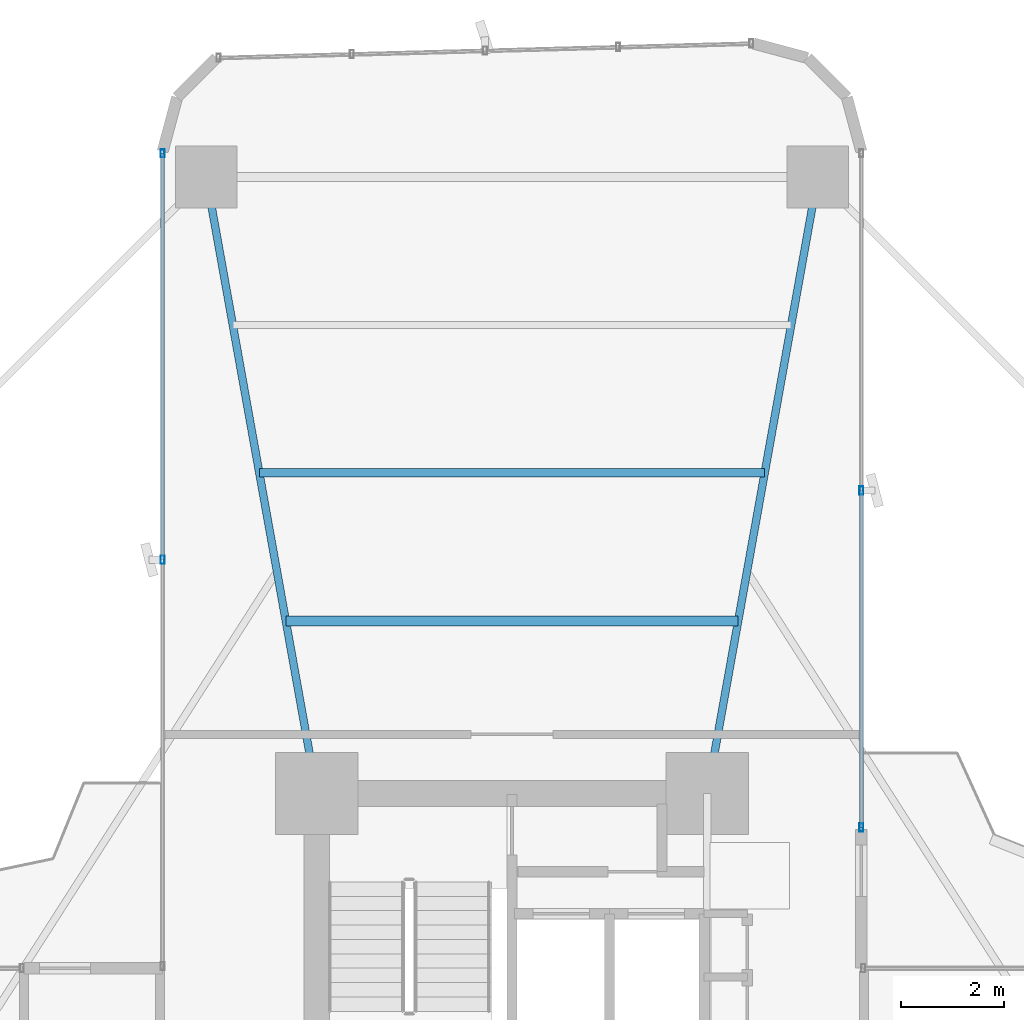
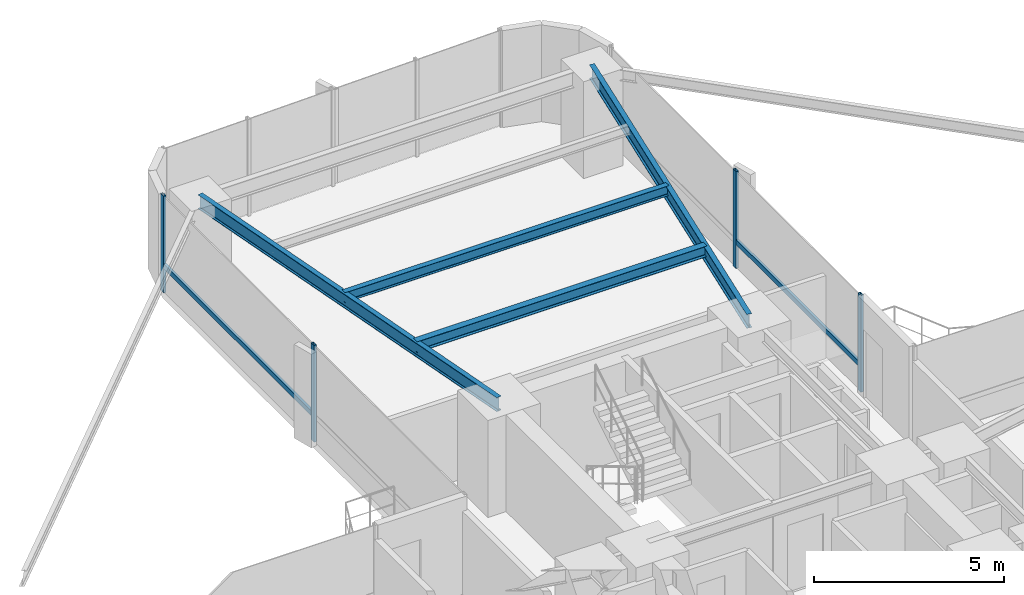
# One storey, part 18 of 25: 6 members, 4 beams, 2 elements without a shape of their own.
"""IFC4 building model written with IfcOpenShell, lengths in metres."""

from ifc_helpers import new_model, si_unit, direction, frame, origin, origin_2d, place, context, subcontext, project, spatial, hollow_rectangle, i_section, extrude, source, transform, mapped, material, material_profile, profile_set, type_object, element, aggregate, save


model = new_model("IFC4")

# Units and contexts
model_context = context("Model", 3, precision=1e-05, world=origin(), true_north=direction((0.0, 1.0)))
body_context = subcontext(model_context, "Body", "Model", "MODEL_VIEW")
ifc_project = project(units=[si_unit("LENGTHUNIT", "METRE"), si_unit("AREAUNIT", "SQUARE_METRE"), si_unit("VOLUMEUNIT", "CUBIC_METRE"), si_unit("PLANEANGLEUNIT", "RADIAN"), si_unit("MASSUNIT", "GRAM", prefix="KILO")], contexts=[model_context])

# Site, building, storey
site_placement = place(None, origin())
site = spatial("IfcSite", under=ifc_project, at=site_placement, CompositionType="ELEMENT")
building_placement = place(site_placement, origin())
building = spatial("IfcBuilding", under=site, at=building_placement, Name="Sahyath Konkavel Grand Hotel", CompositionType="ELEMENT")
storey_placement = place(building_placement, frame((0.0, 0.0, 57.75)))
storey = spatial("IfcBuildingStorey", under=building, at=storey_placement, Name="L15", CompositionType="ELEMENT", Elevation=57.75)

# Beams
ifc_material_1 = material(Name="Steel E350", Category="steel")
ifc_material_profile_1 = material_profile(ifc_material_1, i_section(OverallWidth=0.14990234375, OverallDepth=0.449951171875, WebThickness=0.009521484375, FlangeThickness=0.017333984375, FilletRadius=0.014892578125, at=origin_2d()), Name="ISMB 450")
ifc_profile_set_1 = profile_set([ifc_material_profile_1], Name="Steel E350")
beam_type_1 = type_object("IfcBeamType", Name="BM-ISMB450", PredefinedType="BEAM", material=ifc_profile_set_1)
shared_shape_1 = source(origin(), body_context, "Body", "SweptSolid", [
    extrude(i_section(OverallWidth=0.14990234375, OverallDepth=0.449951171875, WebThickness=0.009521484375, FlangeThickness=0.017333984375, FilletRadius=0.014892578125, at=origin_2d()), origin(), (0.0, 0.0, 1.0), 12.191162109375),
])
for number, where, z_axis, x_axis, name in (
    (1, (3.800048828125, 10.199951171875, 2.885009765625), (0.176350650305, 0.984327409014, 0.0), (-0.984327409014, 0.176350650305, 0.0), "L15 Cruciform Radial Girder NA"),
    (2, (-3.800048828125, 10.199951171875, 2.885009765625), (-0.176350650305, 0.984327409014, 0.0), (-0.984327409014, -0.176350650305, 0.0), "L15 Cruciform Radial Girder NB"),
):
    element("IfcBeam", number, at=place(storey_placement, frame(where, z_axis=z_axis, x_axis=x_axis)), inside=storey, type_object=beam_type_1, Name=name, PredefinedType="BEAM", context=body_context, shape_type="MappedRepresentation", body=[
        mapped(shared_shape_1, transform((0.0, 0.0, 0.0), scale=1.0)),
    ])
ifc_material_profile_2 = material_profile(ifc_material_1, i_section(OverallWidth=0.199951171875, OverallDepth=0.35009765625, WebThickness=0.008056640625, FlangeThickness=0.011474609375, FilletRadius=0.013916015625, at=origin_2d()), Name="ISWB 350")
ifc_profile_set_2 = profile_set([ifc_material_profile_2], Name="Steel E350")
beam_type_2 = type_object("IfcBeamType", Name="BM-ISWB350", PredefinedType="BEAM", material=ifc_profile_set_2)
shared_shape_2 = source(origin(), body_context, "Body", "SweptSolid", [
    extrude(i_section(OverallWidth=0.199951171875, OverallDepth=0.35009765625, WebThickness=0.008056640625, FlangeThickness=0.011474609375, FilletRadius=0.013916015625, at=origin_2d()), origin(), (0.0, 0.0, 1.0), 8.80419921875),
])
beam_1_placement = place(storey_placement, frame((4.402099609375, 13.56005859375, 2.93505859375), z_axis=(-1.0, 0.0, 0.0), x_axis=(0.0, -1.0, 0.0)))
element("IfcBeam", 3, at=beam_1_placement, inside=storey, type_object=beam_type_2, Name="L15 Secondary Floor Beam N-1", PredefinedType="BEAM", context=body_context, shape_type="MappedRepresentation", body=[
    mapped(shared_shape_2, transform((0.0, 0.0, 0.0), scale=1.0)),
])
ifc_material_profile_3 = material_profile(ifc_material_1, i_section(OverallWidth=0.1650390625, OverallDepth=0.324951171875, WebThickness=0.007080078125, FlangeThickness=0.009765625, FilletRadius=0.014892578125, at=origin_2d()), Name="ISLB 325")
ifc_profile_set_3 = profile_set([ifc_material_profile_3], Name="Steel E350")
beam_type_3 = type_object("IfcBeamType", Name="BM-ISLB325", PredefinedType="BEAM", material=ifc_profile_set_3)
shared_shape_3 = source(origin(), body_context, "Body", "SweptSolid", [
    extrude(i_section(OverallWidth=0.1650390625, OverallDepth=0.324951171875, WebThickness=0.007080078125, FlangeThickness=0.009765625, FilletRadius=0.014892578125, at=origin_2d()), origin(), (0.0, 0.0, 1.0), 9.8359375),
])
beam_2_placement = place(storey_placement, frame((4.91796875, 16.43994140625, 2.947509765625), z_axis=(-1.0, 0.0, 0.0), x_axis=(0.0, -1.0, 0.0)))
element("IfcBeam", 4, at=beam_2_placement, inside=storey, type_object=beam_type_3, Name="L15 Secondary Floor Beam N-2", PredefinedType="BEAM", context=body_context, shape_type="MappedRepresentation", body=[
    mapped(shared_shape_3, transform((0.0, 0.0, 0.0), scale=1.0)),
])

# Curtain wall, member
ifc_material_2 = material(Name="Anodised Bronze Aluminium & Low-E Glazing", Category="aluminium")
curtain_wall_type = type_object("IfcCurtainWallType", Name="CW-ZONE1", PredefinedType="NOTDEFINED", material=ifc_material_2)
curtain_wall_1_placement = place(storey_placement, origin())
curtain_wall_1 = element("IfcCurtainWall", 5, at=curtain_wall_1_placement, inside=storey, type_object=curtain_wall_type, Name="L15 Unitised Curtain Wall F15", PredefinedType="NOTDEFINED")
ifc_material_3 = material(Name="Anodised Bronze Aluminium", Category="aluminium")
ifc_material_profile_4 = material_profile(ifc_material_3, hollow_rectangle(XDim=0.080078125, YDim=0.159912109375, WallThickness=0.006103515625, at=origin_2d()), Name="RHS 160x80x6")
ifc_profile_set_4 = profile_set([ifc_material_profile_4], Name="Anodised Bronze Aluminium")
member_type_1 = type_object("IfcMemberType", Name="CW-TRN-160", PredefinedType="USERDEFINED", material=ifc_profile_set_4)
shared_shape_4 = source(origin(), body_context, "Body", "SweptSolid", [
    extrude(hollow_rectangle(XDim=0.080078125, YDim=0.159912109375, WallThickness=0.006103515625, at=origin_2d()), origin(), (0.0, 0.0, 1.0), 7.909912109375),
])
member_1_placement = place(storey_placement, frame((-6.800048828125, 22.659912109375, 0.85009765625), z_axis=(0.0, -1.0, 0.0), x_axis=(1.0, 0.0, 0.0)))
member_1 = element("IfcMember", 6, at=member_1_placement, type_object=member_type_1, Name="L15 Curtain Wall Transom F15-0-spandrel", ObjectType="TRANSOM", PredefinedType="USERDEFINED", context=body_context, shape_type="MappedRepresentation", body=[
    mapped(shared_shape_4, transform((0.0, 0.0, 0.0), scale=1.0)),
])

# Curtain wall, members
curtain_wall_2_placement = place(storey_placement, origin())
curtain_wall_2 = element("IfcCurtainWall", 7, at=curtain_wall_2_placement, inside=storey, type_object=curtain_wall_type, Name="L15 Unitised Curtain Wall F8", PredefinedType="NOTDEFINED")
ifc_material_profile_5 = material_profile(ifc_material_3, hollow_rectangle(XDim=0.080078125, YDim=0.159912109375, WallThickness=0.006103515625, at=origin_2d()), Name="RHS 160x80x6")
ifc_profile_set_5 = profile_set([ifc_material_profile_5], Name="Anodised Bronze Aluminium")
member_type_2 = type_object("IfcMemberType", Name="CW-MUL-160", PredefinedType="MULLION", material=ifc_profile_set_5)
shared_shape_5 = source(origin(), body_context, "Body", "SweptSolid", [
    extrude(hollow_rectangle(XDim=0.080078125, YDim=0.159912109375, WallThickness=0.006103515625, at=origin_2d()), origin(), (0.0, 0.0, 1.0), 3.110107421875),
])
member_2_placement = place(storey_placement, frame((6.800048828125, 9.5400390625, 0.0), z_axis=(0.0, 0.0, 1.0), x_axis=(1.0, 0.0, 0.0)))
member_2 = element("IfcMember", 8, at=member_2_placement, type_object=member_type_2, Name="L15 Curtain Wall Mullion F8-0", PredefinedType="MULLION", context=body_context, shape_type="MappedRepresentation", body=[
    mapped(shared_shape_5, transform((0.0, 0.0, 0.0), scale=1.0)),
])
member_3_placement = place(storey_placement, frame((6.800048828125, 16.10009765625, 0.0), z_axis=(0.0, 0.0, 1.0), x_axis=(1.0, 0.0, 0.0)))
member_3 = element("IfcMember", 9, at=member_3_placement, type_object=member_type_2, Name="L15 Curtain Wall Mullion F8-1", PredefinedType="MULLION", context=body_context, shape_type="MappedRepresentation", body=[
    mapped(shared_shape_5, transform((0.0, 0.0, 0.0), scale=1.0)),
])

# Member
member_4_placement = place(storey_placement, frame((-6.800048828125, 22.659912109375, 0.0), z_axis=(0.0, 0.0, 1.0), x_axis=(1.0, 0.0, 0.0)))
member_4 = element("IfcMember", 10, at=member_4_placement, type_object=member_type_2, Name="L15 Curtain Wall Mullion F15-0", PredefinedType="MULLION", context=body_context, shape_type="MappedRepresentation", body=[
    mapped(shared_shape_5, transform((0.0, 0.0, 0.0), scale=1.0)),
])

member_5_placement = place(storey_placement, frame((-6.800048828125, 14.75, 0.0), z_axis=(0.0, 0.0, 1.0), x_axis=(1.0, 0.0, 0.0)))
member_5 = element("IfcMember", 11, at=member_5_placement, type_object=member_type_2, Name="L15 Curtain Wall Mullion F15-1", PredefinedType="MULLION", context=body_context, shape_type="MappedRepresentation", body=[
    mapped(shared_shape_5, transform((0.0, 0.0, 0.0), scale=1.0)),
])

aggregate(curtain_wall_1, [member_4, member_5, member_1])

shared_shape_6 = source(origin(), body_context, "Body", "SweptSolid", [
    extrude(hollow_rectangle(XDim=0.080078125, YDim=0.159912109375, WallThickness=0.006103515625, at=origin_2d()), origin(), (0.0, 0.0, 1.0), 6.56005859375),
])
member_6_placement = place(storey_placement, frame((6.800048828125, 9.5400390625, 0.85009765625), z_axis=(0.0, 1.0, 0.0), x_axis=(-1.0, 0.0, 0.0)))
member_6 = element("IfcMember", 12, at=member_6_placement, type_object=member_type_1, Name="L15 Curtain Wall Transom F8-0-spandrel", ObjectType="TRANSOM", PredefinedType="USERDEFINED", context=body_context, shape_type="MappedRepresentation", body=[
    mapped(shared_shape_6, transform((0.0, 0.0, 0.0), scale=1.0)),
])

aggregate(curtain_wall_2, [member_2, member_3, member_6])

save(model, "model.ifc")
